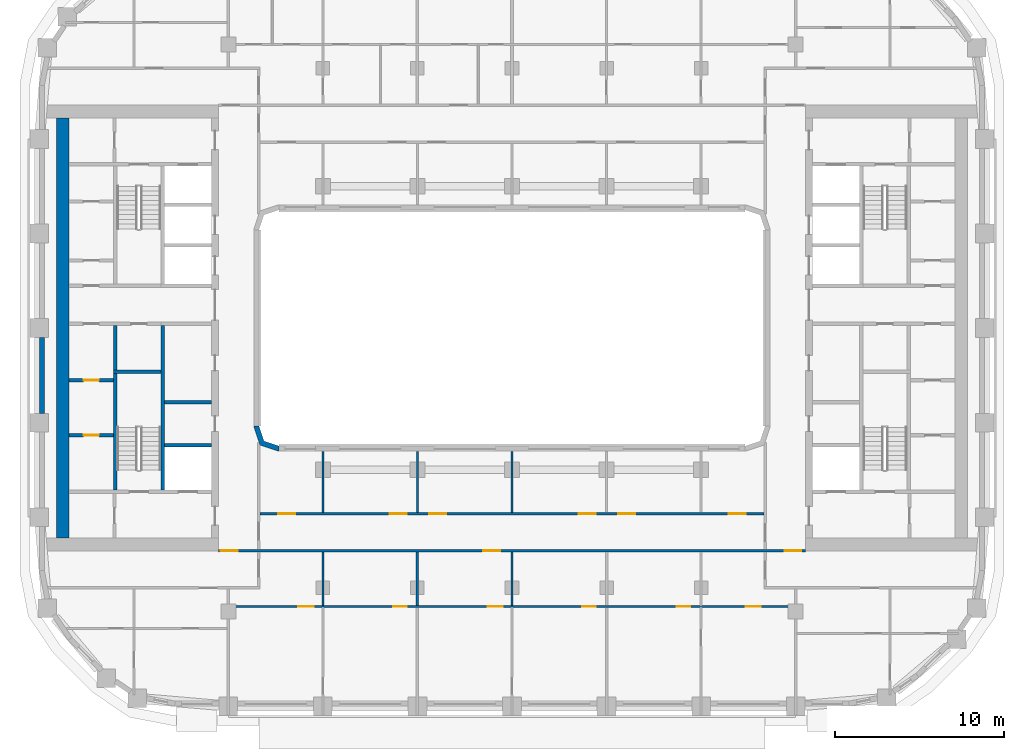
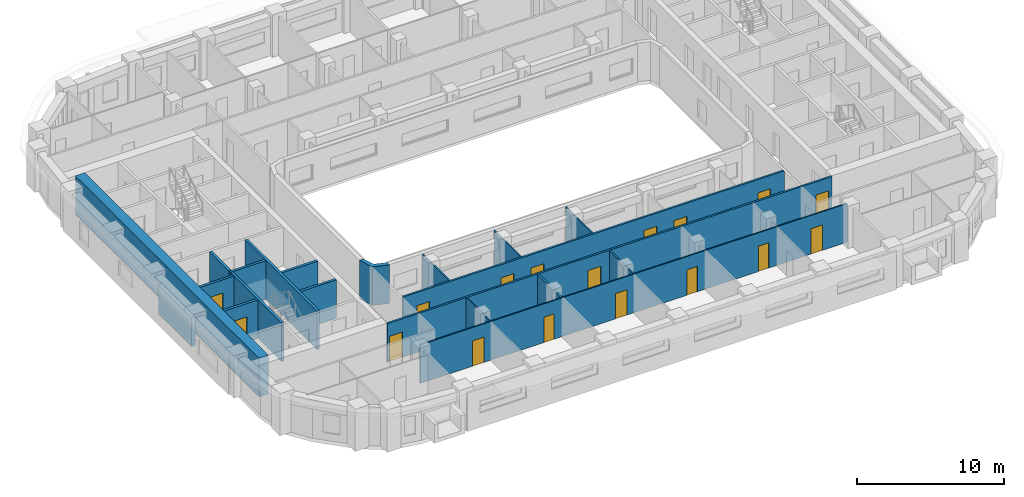
# One storey, part 3 of 22: 20 walls, 17 doors, 17 openings.
"""IFC4 building model written with IfcOpenShell, lengths in metres."""

from ifc_helpers import new_model, si_unit, direction, frame, frame_2d, origin, place, context, subcontext, project, spatial, polyline, rectangle, outline, extrude, material, layer, layer_set, type_object, element, fill, save


model = new_model("IFC4")

# Units and contexts
model_context = context("Model", 3, precision=1e-05, world=origin(), true_north=direction((0.0, 1.0)))
body_context = subcontext(model_context, "Body", "Model", "MODEL_VIEW")
ifc_project = project(units=[si_unit("LENGTHUNIT", "METRE"), si_unit("AREAUNIT", "SQUARE_METRE"), si_unit("VOLUMEUNIT", "CUBIC_METRE"), si_unit("PLANEANGLEUNIT", "RADIAN"), si_unit("MASSUNIT", "GRAM", prefix="KILO")], contexts=[model_context])

# Site, building, storey
site_placement = place(None, origin())
site = spatial("IfcSite", under=ifc_project, at=site_placement, CompositionType="ELEMENT")
building_placement = place(site_placement, origin())
building = spatial("IfcBuilding", under=site, at=building_placement, Name="Kiln Ring Residences", CompositionType="ELEMENT")
storey_placement = place(building_placement, frame((0.0, 0.0, 150.10009765625)))
storey = spatial("IfcBuildingStorey", under=building, at=storey_placement, Name="L38", CompositionType="ELEMENT", Elevation=150.10009765625)

# Walls
ifc_material_1 = material(Name="Gypsum board on steel studs", Category="steel")
ifc_layer_1 = layer(ifc_material_1, 0.199951171875)
ifc_layer_set_1 = layer_set([ifc_layer_1], Name="CORE-PARTITION-200")
wall_type_1 = type_object("IfcWallType", Name="CORE-PARTITION-200", PredefinedType="PARTITIONING", material=ifc_layer_set_1)
wall_1_placement = place(storey_placement, frame((-23.5, -2.5, 0.0), z_axis=(0.0, 0.0, 1.0), x_axis=(0.0, 1.0, 0.0)))
element("IfcWall", 1, at=wall_1_placement, inside=storey, type_object=wall_type_1, Name="Core partition west L38 1", PredefinedType="PARTITIONING", context=body_context, shape_type="SweptSolid", body=[
    extrude(rectangle(XDim=2.64990234375, YDim=0.199951171875, at=frame_2d((1.324951171875, 0.0))), origin(), (0.0, 0.0, 1.0), 3.199951171875),
])
wall_2_placement = place(storey_placement, frame((-17.800048828125, -4.39990234375, 0.0), z_axis=(0.0, 0.0, 1.0), x_axis=(-1.0, 0.0, 0.0)))
element("IfcWall", 2, at=wall_2_placement, inside=storey, type_object=wall_type_1, Name="Core partition west L38 3", PredefinedType="PARTITIONING", context=body_context, shape_type="SweptSolid", body=[
    extrude(rectangle(XDim=2.800048828125, YDim=0.199951171875, at=frame_2d((1.39990234375, 0.0))), origin(), (0.0, 0.0, 1.0), 3.199951171875),
])

# Wall, opening, door
wall_3_placement = place(storey_placement, frame((-23.60009765625, -6.35009765625, 0.0), z_axis=(0.0, 0.0, 1.0), x_axis=(-1.0, 0.0, 0.0)))
wall_3 = element("IfcWall", 3, at=wall_3_placement, inside=storey, type_object=wall_type_1, Name="Core partition west L38 6", PredefinedType="PARTITIONING", context=body_context, shape_type="SweptSolid", body=[
    extrude(rectangle(XDim=2.64990234375, YDim=0.199951171875, at=frame_2d((1.324951171875, 0.0))), origin(), (0.0, 0.0, 1.0), 3.199951171875),
])
opening_1_placement = place(wall_3_placement, frame((0.875, 0.0, 0.0)))
opening_1 = element("IfcOpeningElement", 4, at=opening_1_placement, cuts=wall_3, Name="Opening L38-CW15", PredefinedType="OPENING", context=body_context, shape_type="SweptSolid", body=[
    extrude(rectangle(XDim=0.89990234375, YDim=2.10009765625, at=frame_2d((0.449951171875, 1.050048828125))), frame((0.0, 0.10986328125, 0.0), z_axis=(0.0, -1.0, 0.0), x_axis=(1.0, 0.0, 0.0)), (0.0, 0.0, 1.0), 0.219970703125),
])
ifc_material_2 = material(Name="Steel door leaf", Category="steel")
door_type_1 = type_object("IfcDoorType", Name="CORE-DOOR-ROOM", OperationType="SINGLE_SWING_LEFT", PredefinedType="DOOR", material=ifc_material_2)
door_1_placement = place(opening_1_placement, origin())
door_1 = element("IfcDoor", 5, at=door_1_placement, inside=storey, type_object=door_type_1, Name="Meter room L38-CW15", OperationType="SINGLE_SWING_RIGHT", OverallHeight=2.10009765625, OverallWidth=0.89990234375, PredefinedType="DOOR", context=body_context, shape_type="SweptSolid", body=[
    extrude(rectangle(XDim=0.89990234375, YDim=2.10009765625, at=frame_2d((0.449951171875, 1.050048828125))), frame((0.0, 0.02490234375, 0.0), z_axis=(0.0, -1.0, 0.0), x_axis=(1.0, 0.0, 0.0)), (0.0, 0.0, 1.0), 0.050048828125),
])
fill(opening_1, door_1)

wall_4_placement = place(storey_placement, frame((-23.60009765625, -3.10009765625, 0.0), z_axis=(0.0, 0.0, 1.0), x_axis=(-1.0, 0.0, 0.0)))
wall_4 = element("IfcWall", 6, at=wall_4_placement, inside=storey, type_object=wall_type_1, Name="Core partition west L38 7", PredefinedType="PARTITIONING", context=body_context, shape_type="SweptSolid", body=[
    extrude(rectangle(XDim=2.64990234375, YDim=0.199951171875, at=frame_2d((1.324951171875, 0.0))), origin(), (0.0, 0.0, 1.0), 3.199951171875),
])
opening_2_placement = place(wall_4_placement, frame((0.875, 0.0, 0.0)))
opening_2 = element("IfcOpeningElement", 7, at=opening_2_placement, cuts=wall_4, Name="Opening L38-CW16", PredefinedType="OPENING", context=body_context, shape_type="SweptSolid", body=[
    extrude(rectangle(XDim=0.89990234375, YDim=2.10009765625, at=frame_2d((0.449951171875, 1.050048828125))), frame((0.0, 0.10986328125, 0.0), z_axis=(0.0, -1.0, 0.0), x_axis=(1.0, 0.0, 0.0)), (0.0, 0.0, 1.0), 0.219970703125),
])
door_2_placement = place(opening_2_placement, origin())
door_2 = element("IfcDoor", 8, at=door_2_placement, inside=storey, type_object=door_type_1, Name="Plant room L38-CW16", OperationType="SINGLE_SWING_LEFT", OverallHeight=2.10009765625, OverallWidth=0.89990234375, PredefinedType="DOOR", context=body_context, shape_type="SweptSolid", body=[
    extrude(rectangle(XDim=0.89990234375, YDim=2.10009765625, at=frame_2d((0.449951171875, 1.050048828125))), frame((0.0, 0.02490234375, 0.0), z_axis=(0.0, -1.0, 0.0), x_axis=(1.0, 0.0, 0.0)), (0.0, 0.0, 1.0), 0.050048828125),
])
fill(opening_2, door_2)

# Walls
ifc_material_3 = material(Name="Gypsum shaft wall system")
ifc_layer_2 = layer(ifc_material_3, 0.199951171875)
ifc_layer_set_2 = layer_set([ifc_layer_2], Name="CORE-SHAFT-WALL-200")
wall_type_2 = type_object("IfcWallType", Name="CORE-SHAFT-WALL-200", PredefinedType="PARTITIONING", material=ifc_layer_set_2)
wall_5_placement = place(storey_placement, frame((-17.800048828125, -6.949951171875, 0.0), z_axis=(0.0, 0.0, 1.0), x_axis=(-1.0, 0.0, 0.0)))
element("IfcWall", 9, at=wall_5_placement, inside=storey, type_object=wall_type_2, Name="Core partition west L38 10", PredefinedType="PARTITIONING", context=body_context, shape_type="SweptSolid", body=[
    extrude(rectangle(XDim=2.800048828125, YDim=0.199951171875, at=frame_2d((1.39990234375, 0.0))), origin(), (0.0, 0.0, 1.0), 3.199951171875),
])
ifc_material_4 = material(Name="Concrete C40/50", Category="concrete")
ifc_layer_3 = layer(ifc_material_4, 0.199951171875)
ifc_layer_set_3 = layer_set([ifc_layer_3], Name="CORE-WALL-RC200")
wall_type_3 = type_object("IfcWallType", Name="CORE-WALL-RC200", PredefinedType="SHEAR", material=ifc_layer_set_3)
wall_6_placement = place(storey_placement, frame((-20.699951171875, -9.60009765625, 0.0), z_axis=(0.0, 0.0, 1.0), x_axis=(0.0, 1.0, 0.0)))
element("IfcWall", 10, at=wall_6_placement, inside=storey, type_object=wall_type_3, Name="Core wall west L38 2", PredefinedType="SHEAR", context=body_context, shape_type="SweptSolid", body=[
    extrude(rectangle(XDim=9.75, YDim=0.199951171875, at=frame_2d((4.875, 0.0))), origin(), (0.0, 0.0, 1.0), 3.199951171875),
])
wall_7_placement = place(storey_placement, frame((-23.5, -9.60009765625, 0.0), z_axis=(0.0, 0.0, 1.0), x_axis=(0.0, 1.0, 0.0)))
element("IfcWall", 11, at=wall_7_placement, inside=storey, type_object=wall_type_3, Name="Core wall west L38 11", PredefinedType="SHEAR", context=body_context, shape_type="SweptSolid", body=[
    extrude(rectangle(XDim=6.900146484375, YDim=0.199951171875, at=frame_2d((3.4501953125, 0.0))), origin(), (0.0, 0.0, 1.0), 3.199951171875),
])
wall_8_placement = place(storey_placement, frame((-20.800048828125, -2.60009765625, 0.0), z_axis=(0.0, 0.0, 1.0), x_axis=(-1.0, 0.0, 0.0)))
element("IfcWall", 12, at=wall_8_placement, inside=storey, type_object=wall_type_3, Name="Core wall west L38 12", PredefinedType="SHEAR", context=body_context, shape_type="SweptSolid", body=[
    extrude(rectangle(XDim=2.800048828125, YDim=0.199951171875, at=frame_2d((1.39990234375, 0.0))), origin(), (0.0, 0.0, 1.0), 3.199951171875),
])
ifc_material_5 = material(Name="Concrete C60/75", Category="concrete")
ifc_layer_4 = layer(ifc_material_5, 0.75)
ifc_layer_set_4 = layer_set([ifc_layer_4], Name="CORE-WALL-RC750")
wall_type_4 = type_object("IfcWallType", Name="CORE-WALL-RC750", PredefinedType="SHEAR", material=ifc_layer_set_4)
wall_9_placement = place(storey_placement, frame((-26.625, -12.449951171875, 0.0), z_axis=(0.0, 0.0, 1.0), x_axis=(0.0, 1.0, 0.0)))
element("IfcWall", 13, at=wall_9_placement, inside=storey, type_object=wall_type_4, Name="Core wall west L38 7", PredefinedType="SHEAR", context=body_context, shape_type="SweptSolid", body=[
    extrude(rectangle(XDim=24.89990234375, YDim=0.75, at=frame_2d((12.449951171875, 0.0))), origin(), (0.0, 0.0, 1.0), 3.199951171875),
])
ifc_material_6 = material(Name="Brick masonry, dark clay brick", Category="masonry")
ifc_layer_5 = layer(ifc_material_6, 0.300048828125)
ifc_layer_set_5 = layer_set([ifc_layer_5], Name="EW-300 BRICK WALL")
wall_type_5 = type_object("IfcWallType", Name="EW-300 BRICK WALL", PredefinedType="SOLIDWALL", material=ifc_layer_set_5)
wall_10_placement = place(storey_placement, frame((-27.85009765625, -0.550048828125, 0.0), z_axis=(0.0, 0.0, 1.0), x_axis=(0.0, -1.0, 0.0)))
element("IfcWall", 14, at=wall_10_placement, inside=storey, type_object=wall_type_5, Name="Facade wall L38 44", PredefinedType="SOLIDWALL", context=body_context, shape_type="SweptSolid", body=[
    extrude(rectangle(XDim=4.5, YDim=0.300048828125, at=frame_2d((2.25, 0.0))), origin(), (0.0, 0.0, 1.0), 2.449951171875),
])
wall_11_placement = place(storey_placement, origin())
element("IfcWall", 15, at=wall_11_placement, inside=storey, type_object=wall_type_5, Name="Corner wall L38 4", PredefinedType="SOLIDWALL", context=body_context, shape_type="SweptSolid", body=[
    extrude(outline(polyline([(-14.937255859375, -6.937255859375), (-13.8486328125, -7.300048828125), (-13.800048828125, -7.300048828125), (-13.800048828125, -7.0), (-14.699951171875, -6.699951171875), (-15.0, -5.800048828125), (-15.300048828125, -5.800048828125), (-15.300048828125, -5.8486328125), (-14.937255859375, -6.937255859375)])), origin(), (0.0, 0.0, 1.0), 3.199951171875),
])

# Wall, openings, doors
ifc_material_7 = material(Name="Gypsum board on steel studs", Category="steel")
ifc_layer_6 = layer(ifc_material_7, 0.10009765625)
ifc_layer_set_6 = layer_set([ifc_layer_6], Name="PARTITION-100")
wall_type_6 = type_object("IfcWallType", Name="PARTITION-100", PredefinedType="PARTITIONING", material=ifc_layer_set_6)
wall_12_placement = place(storey_placement, frame((-16.72509765625, -16.5, 0.0), z_axis=(0.0, 0.0, 1.0), x_axis=(1.0, 0.0, 0.0)))
wall_12 = element("IfcWall", 16, at=wall_12_placement, inside=storey, type_object=wall_type_6, Name="Partition 002", PredefinedType="PARTITIONING", context=body_context, shape_type="SweptSolid", body=[
    extrude(rectangle(XDim=33.4501953125, YDim=0.10009765625, at=frame_2d((16.72509765625, 0.0))), origin(), (0.0, 0.0, 1.0), 3.199951171875),
])
opening_3_placement = place(wall_12_placement, frame((9.675048828125, 0.0, 0.0)))
opening_3 = element("IfcOpeningElement", 17, at=opening_3_placement, cuts=wall_12, Name="Opening L38-D045", PredefinedType="OPENING", context=body_context, shape_type="SweptSolid", body=[
    extrude(rectangle(XDim=0.800048828125, YDim=2.10009765625, at=frame_2d((0.39990234375, 1.050048828125))), frame((0.0, 0.06005859375, 0.0), z_axis=(0.0, -1.0, 0.0), x_axis=(1.0, 0.0, 0.0)), (0.0, 0.0, 1.0), 0.1201171875),
])
opening_4_placement = place(wall_12_placement, frame((4.074951171875, 0.0, 0.0)))
opening_4 = element("IfcOpeningElement", 18, at=opening_4_placement, cuts=wall_12, Name="Opening L38-D046", PredefinedType="OPENING", context=body_context, shape_type="SweptSolid", body=[
    extrude(rectangle(XDim=0.89990234375, YDim=2.10009765625, at=frame_2d((0.449951171875, 1.050048828125))), frame((0.0, 0.06005859375, 0.0), z_axis=(0.0, -1.0, 0.0), x_axis=(1.0, 0.0, 0.0)), (0.0, 0.0, 1.0), 0.1201171875),
])
opening_5_placement = place(wall_12_placement, frame((20.875, 0.0, 0.0)))
opening_5 = element("IfcOpeningElement", 19, at=opening_5_placement, cuts=wall_12, Name="Opening L38-D049", PredefinedType="OPENING", context=body_context, shape_type="SweptSolid", body=[
    extrude(rectangle(XDim=0.800048828125, YDim=2.10009765625, at=frame_2d((0.39990234375, 1.050048828125))), frame((0.0, 0.06005859375, 0.0), z_axis=(0.0, -1.0, 0.0), x_axis=(1.0, 0.0, 0.0)), (0.0, 0.0, 1.0), 0.1201171875),
])
opening_6_placement = place(wall_12_placement, frame((15.27490234375, 0.0, 0.0)))
opening_6 = element("IfcOpeningElement", 20, at=opening_6_placement, cuts=wall_12, Name="Opening L38-D050", PredefinedType="OPENING", context=body_context, shape_type="SweptSolid", body=[
    extrude(rectangle(XDim=0.89990234375, YDim=2.10009765625, at=frame_2d((0.449951171875, 1.050048828125))), frame((0.0, 0.06005859375, 0.0), z_axis=(0.0, -1.0, 0.0), x_axis=(1.0, 0.0, 0.0)), (0.0, 0.0, 1.0), 0.1201171875),
])
opening_7_placement = place(wall_12_placement, frame((26.47509765625, 0.0, 0.0)))
opening_7 = element("IfcOpeningElement", 21, at=opening_7_placement, cuts=wall_12, Name="Opening L38-D053", PredefinedType="OPENING", context=body_context, shape_type="SweptSolid", body=[
    extrude(rectangle(XDim=0.800048828125, YDim=2.10009765625, at=frame_2d((0.39990234375, 1.050048828125))), frame((0.0, 0.06005859375, 0.0), z_axis=(0.0, -1.0, 0.0), x_axis=(1.0, 0.0, 0.0)), (0.0, 0.0, 1.0), 0.1201171875),
])
opening_8_placement = place(wall_12_placement, frame((30.574951171875, 0.0, 0.0)))
opening_8 = element("IfcOpeningElement", 22, at=opening_8_placement, cuts=wall_12, Name="Opening L38-D054", PredefinedType="OPENING", context=body_context, shape_type="SweptSolid", body=[
    extrude(rectangle(XDim=0.89990234375, YDim=2.10009765625, at=frame_2d((0.449951171875, 1.050048828125))), frame((0.0, 0.06005859375, 0.0), z_axis=(0.0, -1.0, 0.0), x_axis=(1.0, 0.0, 0.0)), (0.0, 0.0, 1.0), 0.1201171875),
])
ifc_material_8 = material(Name="Timber door leaf", Category="wood")
door_type_2 = type_object("IfcDoorType", Name="FLAT-DOOR-800-PL", OperationType="SINGLE_SWING_LEFT", PredefinedType="DOOR", material=ifc_material_8)
door_3_placement = place(opening_3_placement, origin())
door_3 = element("IfcDoor", 23, at=door_3_placement, inside=storey, type_object=door_type_2, Name="Door L38-D045", OperationType="SINGLE_SWING_LEFT", OverallHeight=2.10009765625, OverallWidth=0.800048828125, PredefinedType="DOOR", context=body_context, shape_type="SweptSolid", body=[
    extrude(rectangle(XDim=0.800048828125, YDim=2.10009765625, at=frame_2d((0.39990234375, 1.050048828125))), frame((0.0, 0.02490234375, 0.0), z_axis=(0.0, -1.0, 0.0), x_axis=(1.0, 0.0, 0.0)), (0.0, 0.0, 1.0), 0.050048828125),
])
fill(opening_3, door_3)
door_4_placement = place(opening_5_placement, origin())
door_4 = element("IfcDoor", 24, at=door_4_placement, inside=storey, type_object=door_type_2, Name="Door L38-D049", OperationType="SINGLE_SWING_LEFT", OverallHeight=2.10009765625, OverallWidth=0.800048828125, PredefinedType="DOOR", context=body_context, shape_type="SweptSolid", body=[
    extrude(rectangle(XDim=0.800048828125, YDim=2.10009765625, at=frame_2d((0.39990234375, 1.050048828125))), frame((0.0, 0.02490234375, 0.0), z_axis=(0.0, -1.0, 0.0), x_axis=(1.0, 0.0, 0.0)), (0.0, 0.0, 1.0), 0.050048828125),
])
fill(opening_5, door_4)
door_5_placement = place(opening_7_placement, origin())
door_5 = element("IfcDoor", 25, at=door_5_placement, inside=storey, type_object=door_type_2, Name="Door L38-D053", OperationType="SINGLE_SWING_LEFT", OverallHeight=2.10009765625, OverallWidth=0.800048828125, PredefinedType="DOOR", context=body_context, shape_type="SweptSolid", body=[
    extrude(rectangle(XDim=0.800048828125, YDim=2.10009765625, at=frame_2d((0.39990234375, 1.050048828125))), frame((0.0, 0.02490234375, 0.0), z_axis=(0.0, -1.0, 0.0), x_axis=(1.0, 0.0, 0.0)), (0.0, 0.0, 1.0), 0.050048828125),
])
fill(opening_7, door_5)
ifc_material_9 = material(Name="Timber door leaf", Category="wood")
door_type_3 = type_object("IfcDoorType", Name="FLAT-DOOR-900-PL", OperationType="SINGLE_SWING_LEFT", PredefinedType="DOOR", material=ifc_material_9)
door_6_placement = place(opening_4_placement, origin())
door_6 = element("IfcDoor", 26, at=door_6_placement, inside=storey, type_object=door_type_3, Name="Door L38-D046", OperationType="SINGLE_SWING_RIGHT", OverallHeight=2.10009765625, OverallWidth=0.89990234375, PredefinedType="DOOR", context=body_context, shape_type="SweptSolid", body=[
    extrude(rectangle(XDim=0.89990234375, YDim=2.10009765625, at=frame_2d((0.449951171875, 1.050048828125))), frame((0.0, 0.02490234375, 0.0), z_axis=(0.0, -1.0, 0.0), x_axis=(1.0, 0.0, 0.0)), (0.0, 0.0, 1.0), 0.050048828125),
])
fill(opening_4, door_6)
door_7_placement = place(opening_6_placement, origin())
door_7 = element("IfcDoor", 27, at=door_7_placement, inside=storey, type_object=door_type_3, Name="Door L38-D050", OperationType="SINGLE_SWING_RIGHT", OverallHeight=2.10009765625, OverallWidth=0.89990234375, PredefinedType="DOOR", context=body_context, shape_type="SweptSolid", body=[
    extrude(rectangle(XDim=0.89990234375, YDim=2.10009765625, at=frame_2d((0.449951171875, 1.050048828125))), frame((0.0, 0.02490234375, 0.0), z_axis=(0.0, -1.0, 0.0), x_axis=(1.0, 0.0, 0.0)), (0.0, 0.0, 1.0), 0.050048828125),
])
fill(opening_6, door_7)
door_8_placement = place(opening_8_placement, origin())
door_8 = element("IfcDoor", 28, at=door_8_placement, inside=storey, type_object=door_type_3, Name="Door L38-D054", OperationType="SINGLE_SWING_RIGHT", OverallHeight=2.10009765625, OverallWidth=0.89990234375, PredefinedType="DOOR", context=body_context, shape_type="SweptSolid", body=[
    extrude(rectangle(XDim=0.89990234375, YDim=2.10009765625, at=frame_2d((0.449951171875, 1.050048828125))), frame((0.0, 0.02490234375, 0.0), z_axis=(0.0, -1.0, 0.0), x_axis=(1.0, 0.0, 0.0)), (0.0, 0.0, 1.0), 0.050048828125),
])
fill(opening_8, door_8)

# Walls
wall_13_placement = place(storey_placement, frame((-11.199951171875, -16.449951171875, 0.0), z_axis=(0.0, 0.0, 1.0), x_axis=(0.0, 1.0, 0.0)))
element("IfcWall", 29, at=wall_13_placement, inside=storey, type_object=wall_type_6, Name="Partition 026", PredefinedType="PARTITIONING", context=body_context, shape_type="SweptSolid", body=[
    extrude(rectangle(XDim=3.175048828125, YDim=0.10009765625, at=frame_2d((1.58740234375, 0.0))), origin(), (0.0, 0.0, 1.0), 3.199951171875),
])
for number, where, z_axis, x_axis, name in (
    (30, (-11.199951171875, -10.925048828125, 0.0), (0.0, 0.0, 1.0), (0.0, 1.0, 0.0), "Partition 027"),
    (31, (-5.60009765625, -10.925048828125, 0.0), (0.0, 0.0, 1.0), (0.0, 1.0, 0.0), "Partition 032"),
):
    element("IfcWall", number, at=place(storey_placement, frame(where, z_axis=z_axis, x_axis=x_axis)), inside=storey, type_object=wall_type_6, Name=name, PredefinedType="PARTITIONING", context=body_context, shape_type="SweptSolid", body=[
        extrude(rectangle(XDim=3.60498046875, YDim=0.10009765625, at=frame_2d((1.802490234375, 0.0))), origin(), (0.0, 0.0, 1.0), 3.199951171875),
    ])
wall_14_placement = place(storey_placement, frame((0.0, -16.449951171875, 0.0), z_axis=(0.0, 0.0, 1.0), x_axis=(0.0, 1.0, 0.0)))
element("IfcWall", 32, at=wall_14_placement, inside=storey, type_object=wall_type_6, Name="Partition 040", PredefinedType="PARTITIONING", context=body_context, shape_type="SweptSolid", body=[
    extrude(rectangle(XDim=3.175048828125, YDim=0.10009765625, at=frame_2d((1.58740234375, 0.0))), origin(), (0.0, 0.0, 1.0), 3.199951171875),
])
wall_15_placement = place(storey_placement, frame((0.0, -10.925048828125, 0.0), z_axis=(0.0, 0.0, 1.0), x_axis=(0.0, 1.0, 0.0)))
element("IfcWall", 33, at=wall_15_placement, inside=storey, type_object=wall_type_6, Name="Partition 041", PredefinedType="PARTITIONING", context=body_context, shape_type="SweptSolid", body=[
    extrude(rectangle(XDim=3.60498046875, YDim=0.10009765625, at=frame_2d((1.802490234375, 0.0))), origin(), (0.0, 0.0, 1.0), 3.199951171875),
])

# Wall, openings, doors
ifc_material_10 = material(Name="Brick masonry partition", Category="masonry")
ifc_layer_7 = layer(ifc_material_10, 0.14990234375)
ifc_layer_set_7 = layer_set([ifc_layer_7], Name="PARTITION-150-ei60")
wall_type_7 = type_object("IfcWallType", Name="PARTITION-150-ei60", PredefinedType="PARTITIONING", material=ifc_layer_set_7)
wall_16_placement = place(storey_placement, frame((-17.39990234375, -13.199951171875, 0.0), z_axis=(0.0, 0.0, 1.0), x_axis=(1.0, 0.0, 0.0)))
wall_16 = element("IfcWall", 34, at=wall_16_placement, inside=storey, type_object=wall_type_7, Name="Partition 005", PredefinedType="PARTITIONING", context=body_context, shape_type="SweptSolid", body=[
    extrude(rectangle(XDim=34.7998046875, YDim=0.14990234375, at=frame_2d((17.39990234375, 0.0))), origin(), (0.0, 0.0, 1.0), 3.199951171875),
])
opening_9_placement = place(wall_16_placement, frame((0.14990234375, 0.0, 0.0)))
opening_9 = element("IfcOpeningElement", 35, at=opening_9_placement, cuts=wall_16, Name="Opening L38-D007", PredefinedType="OPENING", context=body_context, shape_type="SweptSolid", body=[
    extrude(rectangle(XDim=1.0, YDim=2.10009765625, at=frame_2d((0.5, 1.050048828125))), frame((0.0, 0.0849609375, 0.0), z_axis=(0.0, -1.0, 0.0), x_axis=(1.0, 0.0, 0.0)), (0.0, 0.0, 1.0), 0.169921875),
])
opening_10_placement = place(wall_16_placement, frame((33.550048828125, 0.0, 0.0)))
opening_10 = element("IfcOpeningElement", 36, at=opening_10_placement, cuts=wall_16, Name="Opening L38-D008", PredefinedType="OPENING", context=body_context, shape_type="SweptSolid", body=[
    extrude(rectangle(XDim=1.0, YDim=2.10009765625, at=frame_2d((0.5, 1.050048828125))), frame((0.0, 0.0849609375, 0.0), z_axis=(0.0, -1.0, 0.0), x_axis=(1.0, 0.0, 0.0)), (0.0, 0.0, 1.0), 0.169921875),
])
opening_11_placement = place(wall_16_placement, frame((15.699951171875, 0.0, 0.0)))
opening_11 = element("IfcOpeningElement", 37, at=opening_11_placement, cuts=wall_16, Name="Opening L38-D048", PredefinedType="OPENING", context=body_context, shape_type="SweptSolid", body=[
    extrude(rectangle(XDim=1.0, YDim=2.10009765625, at=frame_2d((0.5, 1.050048828125))), frame((0.0, 0.0849609375, 0.0), z_axis=(0.0, -1.0, 0.0), x_axis=(1.0, 0.0, 0.0)), (0.0, 0.0, 1.0), 0.169921875),
])
ifc_material_11 = material(Name="Steel faced fire door leaf", Category="steel")
door_type_4 = type_object("IfcDoorType", Name="FLAT-DOOR-1000-FR", OperationType="SINGLE_SWING_LEFT", PredefinedType="DOOR", material=ifc_material_11)
door_9_placement = place(opening_9_placement, origin())
door_9 = element("IfcDoor", 38, at=door_9_placement, inside=storey, type_object=door_type_4, Name="Door L38-D007", OperationType="SINGLE_SWING_RIGHT", OverallHeight=2.10009765625, OverallWidth=1.0, PredefinedType="DOOR", context=body_context, shape_type="SweptSolid", body=[
    extrude(rectangle(XDim=1.0, YDim=2.10009765625, at=frame_2d((0.5, 1.050048828125))), frame((0.0, 0.02490234375, 0.0), z_axis=(0.0, -1.0, 0.0), x_axis=(1.0, 0.0, 0.0)), (0.0, 0.0, 1.0), 0.050048828125),
])
fill(opening_9, door_9)
door_10_placement = place(opening_10_placement, origin())
door_10 = element("IfcDoor", 39, at=door_10_placement, inside=storey, type_object=door_type_4, Name="Door L38-D008", OperationType="SINGLE_SWING_LEFT", OverallHeight=2.10009765625, OverallWidth=1.0, PredefinedType="DOOR", context=body_context, shape_type="SweptSolid", body=[
    extrude(rectangle(XDim=1.0, YDim=2.10009765625, at=frame_2d((0.5, 1.050048828125))), frame((0.0, 0.02490234375, 0.0), z_axis=(0.0, -1.0, 0.0), x_axis=(1.0, 0.0, 0.0)), (0.0, 0.0, 1.0), 0.050048828125),
])
fill(opening_10, door_10)
door_11_placement = place(opening_11_placement, origin())
door_11 = element("IfcDoor", 40, at=door_11_placement, inside=storey, type_object=door_type_4, Name="Door L38-D048", OperationType="SINGLE_SWING_RIGHT", OverallHeight=2.10009765625, OverallWidth=1.0, PredefinedType="DOOR", context=body_context, shape_type="SweptSolid", body=[
    extrude(rectangle(XDim=1.0, YDim=2.10009765625, at=frame_2d((0.5, 1.050048828125))), frame((0.0, 0.02490234375, 0.0), z_axis=(0.0, -1.0, 0.0), x_axis=(1.0, 0.0, 0.0)), (0.0, 0.0, 1.0), 0.050048828125),
])
fill(opening_11, door_11)

wall_17_placement = place(storey_placement, frame((-14.925048828125, -11.0, 0.0), z_axis=(0.0, 0.0, 1.0), x_axis=(1.0, 0.0, 0.0)))
wall_17 = element("IfcWall", 41, at=wall_17_placement, inside=storey, type_object=wall_type_7, Name="Partition 006", PredefinedType="PARTITIONING", context=body_context, shape_type="SweptSolid", body=[
    extrude(rectangle(XDim=29.85009765625, YDim=0.14990234375, at=frame_2d((14.925048828125, 0.0))), origin(), (0.0, 0.0, 1.0), 3.199951171875),
])
opening_12_placement = place(wall_17_placement, frame((1.074951171875, 0.0, 0.0)))
opening_12 = element("IfcOpeningElement", 42, at=opening_12_placement, cuts=wall_17, Name="Opening L38-D038", PredefinedType="OPENING", context=body_context, shape_type="SweptSolid", body=[
    extrude(rectangle(XDim=1.0, YDim=2.10009765625, at=frame_2d((0.5, 1.050048828125))), frame((0.0, 0.0849609375, 0.0), z_axis=(0.0, -1.0, 0.0), x_axis=(1.0, 0.0, 0.0)), (0.0, 0.0, 1.0), 0.169921875),
])
opening_13_placement = place(wall_17_placement, frame((7.675048828125, 0.0, 0.0)))
opening_13 = element("IfcOpeningElement", 43, at=opening_13_placement, cuts=wall_17, Name="Opening L38-D039", PredefinedType="OPENING", context=body_context, shape_type="SweptSolid", body=[
    extrude(rectangle(XDim=1.0, YDim=2.10009765625, at=frame_2d((0.5, 1.050048828125))), frame((0.0, 0.0849609375, 0.0), z_axis=(0.0, -1.0, 0.0), x_axis=(1.0, 0.0, 0.0)), (0.0, 0.0, 1.0), 0.169921875),
])
opening_14_placement = place(wall_17_placement, frame((10.02490234375, 0.0, 0.0)))
opening_14 = element("IfcOpeningElement", 44, at=opening_14_placement, cuts=wall_17, Name="Opening L38-D040", PredefinedType="OPENING", context=body_context, shape_type="SweptSolid", body=[
    extrude(rectangle(XDim=1.0, YDim=2.10009765625, at=frame_2d((0.5, 1.050048828125))), frame((0.0, 0.0849609375, 0.0), z_axis=(0.0, -1.0, 0.0), x_axis=(1.0, 0.0, 0.0)), (0.0, 0.0, 1.0), 0.169921875),
])
opening_15_placement = place(wall_17_placement, frame((18.875, 0.0, 0.0)))
opening_15 = element("IfcOpeningElement", 45, at=opening_15_placement, cuts=wall_17, Name="Opening L38-D041", PredefinedType="OPENING", context=body_context, shape_type="SweptSolid", body=[
    extrude(rectangle(XDim=1.0, YDim=2.10009765625, at=frame_2d((0.5, 1.050048828125))), frame((0.0, 0.0849609375, 0.0), z_axis=(0.0, -1.0, 0.0), x_axis=(1.0, 0.0, 0.0)), (0.0, 0.0, 1.0), 0.169921875),
])
opening_16_placement = place(wall_17_placement, frame((21.22509765625, 0.0, 0.0)))
opening_16 = element("IfcOpeningElement", 46, at=opening_16_placement, cuts=wall_17, Name="Opening L38-D042", PredefinedType="OPENING", context=body_context, shape_type="SweptSolid", body=[
    extrude(rectangle(XDim=1.0, YDim=2.10009765625, at=frame_2d((0.5, 1.050048828125))), frame((0.0, 0.0849609375, 0.0), z_axis=(0.0, -1.0, 0.0), x_axis=(1.0, 0.0, 0.0)), (0.0, 0.0, 1.0), 0.169921875),
])
opening_17_placement = place(wall_17_placement, frame((27.77392578125, 0.0, 0.0)))
opening_17 = element("IfcOpeningElement", 47, at=opening_17_placement, cuts=wall_17, Name="Opening L38-D043", PredefinedType="OPENING", context=body_context, shape_type="SweptSolid", body=[
    extrude(rectangle(XDim=1.0, YDim=2.10009765625, at=frame_2d((0.5, 1.050048828125))), frame((0.0, 0.0849609375, 0.0), z_axis=(0.0, -1.0, 0.0), x_axis=(1.0, 0.0, 0.0)), (0.0, 0.0, 1.0), 0.169921875),
])
door_12_placement = place(opening_12_placement, origin())
door_12 = element("IfcDoor", 48, at=door_12_placement, inside=storey, type_object=door_type_4, Name="Door L38-D038", OperationType="SINGLE_SWING_RIGHT", OverallHeight=2.10009765625, OverallWidth=1.0, PredefinedType="DOOR", context=body_context, shape_type="SweptSolid", body=[
    extrude(rectangle(XDim=1.0, YDim=2.10009765625, at=frame_2d((0.5, 1.050048828125))), frame((0.0, 0.02490234375, 0.0), z_axis=(0.0, -1.0, 0.0), x_axis=(1.0, 0.0, 0.0)), (0.0, 0.0, 1.0), 0.050048828125),
])
fill(opening_12, door_12)
door_13_placement = place(opening_13_placement, origin())
door_13 = element("IfcDoor", 49, at=door_13_placement, inside=storey, type_object=door_type_4, Name="Door L38-D039", OperationType="SINGLE_SWING_LEFT", OverallHeight=2.10009765625, OverallWidth=1.0, PredefinedType="DOOR", context=body_context, shape_type="SweptSolid", body=[
    extrude(rectangle(XDim=1.0, YDim=2.10009765625, at=frame_2d((0.5, 1.050048828125))), frame((0.0, 0.02490234375, 0.0), z_axis=(0.0, -1.0, 0.0), x_axis=(1.0, 0.0, 0.0)), (0.0, 0.0, 1.0), 0.050048828125),
])
fill(opening_13, door_13)
door_14_placement = place(opening_14_placement, origin())
door_14 = element("IfcDoor", 50, at=door_14_placement, inside=storey, type_object=door_type_4, Name="Door L38-D040", OperationType="SINGLE_SWING_RIGHT", OverallHeight=2.10009765625, OverallWidth=1.0, PredefinedType="DOOR", context=body_context, shape_type="SweptSolid", body=[
    extrude(rectangle(XDim=1.0, YDim=2.10009765625, at=frame_2d((0.5, 1.050048828125))), frame((0.0, 0.02490234375, 0.0), z_axis=(0.0, -1.0, 0.0), x_axis=(1.0, 0.0, 0.0)), (0.0, 0.0, 1.0), 0.050048828125),
])
fill(opening_14, door_14)
door_15_placement = place(opening_15_placement, origin())
door_15 = element("IfcDoor", 51, at=door_15_placement, inside=storey, type_object=door_type_4, Name="Door L38-D041", OperationType="SINGLE_SWING_LEFT", OverallHeight=2.10009765625, OverallWidth=1.0, PredefinedType="DOOR", context=body_context, shape_type="SweptSolid", body=[
    extrude(rectangle(XDim=1.0, YDim=2.10009765625, at=frame_2d((0.5, 1.050048828125))), frame((0.0, 0.02490234375, 0.0), z_axis=(0.0, -1.0, 0.0), x_axis=(1.0, 0.0, 0.0)), (0.0, 0.0, 1.0), 0.050048828125),
])
fill(opening_15, door_15)
door_16_placement = place(opening_16_placement, origin())
door_16 = element("IfcDoor", 52, at=door_16_placement, inside=storey, type_object=door_type_4, Name="Door L38-D042", OperationType="SINGLE_SWING_RIGHT", OverallHeight=2.10009765625, OverallWidth=1.0, PredefinedType="DOOR", context=body_context, shape_type="SweptSolid", body=[
    extrude(rectangle(XDim=1.0, YDim=2.10009765625, at=frame_2d((0.5, 1.050048828125))), frame((0.0, 0.02490234375, 0.0), z_axis=(0.0, -1.0, 0.0), x_axis=(1.0, 0.0, 0.0)), (0.0, 0.0, 1.0), 0.050048828125),
])
fill(opening_16, door_16)
door_17_placement = place(opening_17_placement, origin())
door_17 = element("IfcDoor", 53, at=door_17_placement, inside=storey, type_object=door_type_4, Name="Door L38-D043", OperationType="SINGLE_SWING_LEFT", OverallHeight=2.10009765625, OverallWidth=1.0, PredefinedType="DOOR", context=body_context, shape_type="SweptSolid", body=[
    extrude(rectangle(XDim=1.0, YDim=2.10009765625, at=frame_2d((0.5, 1.050048828125))), frame((0.0, 0.02490234375, 0.0), z_axis=(0.0, -1.0, 0.0), x_axis=(1.0, 0.0, 0.0)), (0.0, 0.0, 1.0), 0.050048828125),
])
fill(opening_17, door_17)

# Wall
wall_18_placement = place(storey_placement, frame((-5.60009765625, -16.449951171875, 0.0), z_axis=(0.0, 0.0, 1.0), x_axis=(0.0, 1.0, 0.0)))
element("IfcWall", 54, at=wall_18_placement, inside=storey, type_object=wall_type_7, Name="Partition 035", PredefinedType="PARTITIONING", context=body_context, shape_type="SweptSolid", body=[
    extrude(rectangle(XDim=3.175048828125, YDim=0.14990234375, at=frame_2d((1.58740234375, 0.0))), origin(), (0.0, 0.0, 1.0), 3.199951171875),
])

save(model, "model.ifc")
